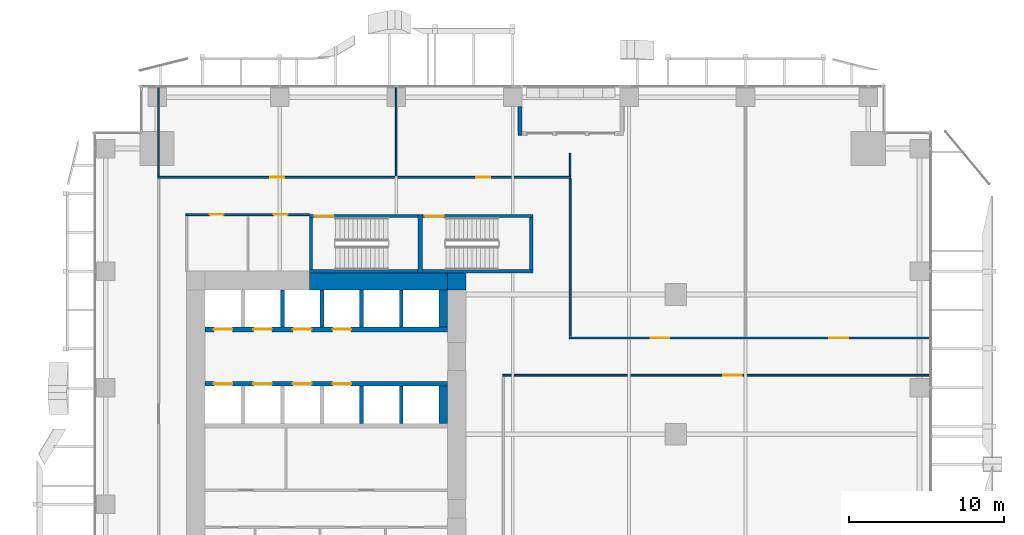
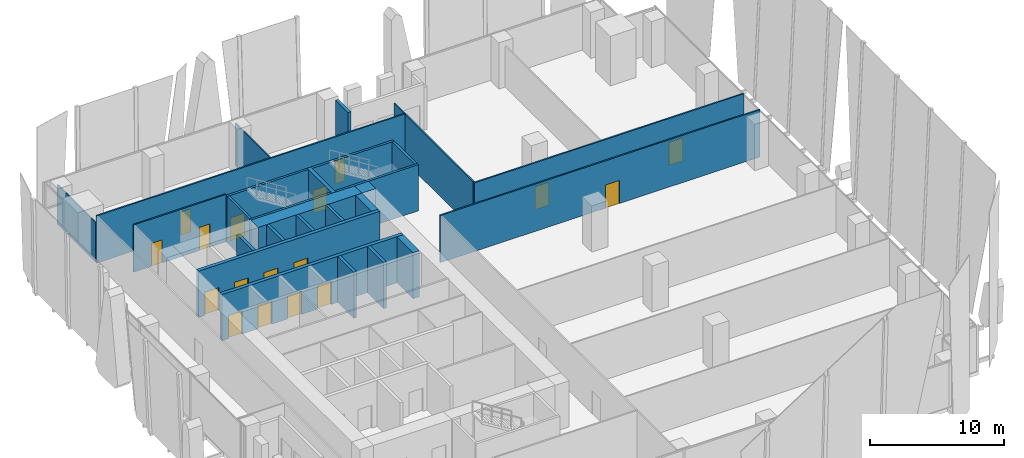
# One storey, part 29 of 35: 28 walls, 17 doors, 17 openings.
"""IFC4 building model written with IfcOpenShell, lengths in metres."""

from ifc_helpers import new_model, si_unit, direction, frame, frame_2d, origin, place, context, subcontext, project, spatial, rectangle, extrude, source, transform, mapped, material, layer, layer_set, type_object, element, fill, save


model = new_model("IFC4")

# Units and contexts
model_context = context("Model", 3, precision=1e-05, world=origin(), true_north=direction((0.0, 1.0)))
body_context = subcontext(model_context, "Body", "Model", "MODEL_VIEW")
ifc_project = project(units=[si_unit("LENGTHUNIT", "METRE"), si_unit("AREAUNIT", "SQUARE_METRE"), si_unit("VOLUMEUNIT", "CUBIC_METRE"), si_unit("PLANEANGLEUNIT", "RADIAN"), si_unit("MASSUNIT", "GRAM", prefix="KILO")], contexts=[model_context])

# Site, building, storey
site_placement = place(None, origin())
site = spatial("IfcSite", under=ifc_project, at=site_placement, CompositionType="ELEMENT")
building_placement = place(site_placement, origin())
building = spatial("IfcBuilding", under=site, at=building_placement, Name="Khomas Fold Tower", CompositionType="ELEMENT")
storey_placement = place(building_placement, frame((0.0, 0.0, 87.0)))
storey = spatial("IfcBuildingStorey", under=building, at=storey_placement, Name="L18", CompositionType="ELEMENT", Elevation=87.0)

# Walls
ifc_material_1 = material(Name="Concrete C70/85", Category="concrete")
ifc_layer_1 = layer(ifc_material_1, 1.10009765625)
ifc_layer_set_1 = layer_set([ifc_layer_1], Name="Concrete C70/85")
wall_type_1 = type_object("IfcWallType", Name="Core wall 1100", PredefinedType="SHEAR", material=ifc_layer_set_1)
shared_shape_1 = source(origin(), body_context, "Body", "SweptSolid", [
    extrude(rectangle(XDim=8.900146484375, YDim=1.10009765625, at=frame_2d((4.4501953125, 0.0))), origin(), (0.0, 0.0, 1.0), 4.199951171875),
])
wall_1_placement = place(storey_placement, frame((13.89990234375, 41.35009765625, 0.0), z_axis=(0.0, 0.0, 1.0), x_axis=(1.0, 0.0, 0.0)))
element("IfcWall", 1, at=wall_1_placement, inside=storey, type_object=wall_type_1, Name="Core wall CW-L-N-B2-1", PredefinedType="SHEAR", context=body_context, shape_type="MappedRepresentation", body=[
    mapped(shared_shape_1, transform((0.0, 0.0, 0.0))),
])
ifc_material_2 = material(Name="Concrete C70/85", Category="concrete")
ifc_layer_2 = layer(ifc_material_2, 1.10009765625)
ifc_layer_set_2 = layer_set([ifc_layer_2], Name="Concrete C70/85")
wall_type_2 = type_object("IfcWallType", Name="Core corner wall 1100", PredefinedType="SHEAR", material=ifc_layer_set_2)
shared_shape_2 = source(origin(), body_context, "Body", "SweptSolid", [
    extrude(rectangle(XDim=1.199951171875, YDim=1.10009765625, at=frame_2d((0.60009765625, 0.0))), origin(), (0.0, 0.0, 1.0), 4.199951171875),
])
wall_2_placement = place(storey_placement, frame((22.800048828125, 41.35009765625, 0.0), z_axis=(0.0, 0.0, 1.0), x_axis=(1.0, 0.0, 0.0)))
element("IfcWall", 2, at=wall_2_placement, inside=storey, type_object=wall_type_2, Name="Core wall CW-L-NE-B2", PredefinedType="SHEAR", context=body_context, shape_type="MappedRepresentation", body=[
    mapped(shared_shape_2, transform((0.0, 0.0, 0.0))),
])

# Wall, opening, door
ifc_material_3 = material(Name="Concrete C50/60", Category="concrete")
ifc_layer_3 = layer(ifc_material_3, 0.199951171875)
ifc_layer_set_3 = layer_set([ifc_layer_3], Name="Concrete C50/60")
wall_type_3 = type_object("IfcWallType", Name="Stair wall 200", PredefinedType="SHEAR", material=ifc_layer_set_3)
shared_shape_3 = source(origin(), body_context, "Body", "SweptSolid", [
    extrude(rectangle(XDim=7.0, YDim=0.199951171875, at=frame_2d((3.5, 0.0))), origin(), (0.0, 0.0, 1.0), 4.199951171875),
])
wall_3_placement = place(storey_placement, frame((13.89990234375, 45.550048828125, 0.0), z_axis=(0.0, 0.0, 1.0), x_axis=(1.0, 0.0, 0.0)))
wall_3 = element("IfcWall", 3, at=wall_3_placement, inside=storey, type_object=wall_type_3, Name="Stair wall SW-ST1-N", PredefinedType="SHEAR", context=body_context, shape_type="MappedRepresentation", body=[
    mapped(shared_shape_3, transform((0.0, 0.0, 0.0))),
])
shared_shape_4 = source(origin(), body_context, "Body", "SweptSolid", [
    extrude(rectangle(XDim=1.199951171875, YDim=2.10009765625, at=frame_2d((0.60009765625, 1.050048828125))), frame((0.0, 0.10986328125, 0.0), z_axis=(0.0, -1.0, 0.0), x_axis=(1.0, 0.0, 0.0)), (0.0, 0.0, 1.0), 0.219970703125),
])
opening_1_placement = place(wall_3_placement, frame((0.35009765625, 0.0, 0.0)))
opening_1 = element("IfcOpeningElement", 4, at=opening_1_placement, cuts=wall_3, Name="Opening SD-ST1", PredefinedType="OPENING", context=body_context, shape_type="MappedRepresentation", body=[
    mapped(shared_shape_4, transform((0.0, 0.0, 0.0))),
])
ifc_material_4 = material(Name="Steel door leaf", Category="steel")
door_type_1 = type_object("IfcDoorType", Name="Stair door 1200x2100 left-hand", OperationType="SINGLE_SWING_LEFT", PredefinedType="DOOR", material=ifc_material_4)
shared_shape_5 = source(origin(), body_context, "Body", "SweptSolid", [
    extrude(rectangle(XDim=1.199951171875, YDim=2.10009765625, at=frame_2d((0.60009765625, 1.050048828125))), frame((0.0, 0.02490234375, 0.0), z_axis=(0.0, -1.0, 0.0), x_axis=(1.0, 0.0, 0.0)), (0.0, 0.0, 1.0), 0.050048828125),
])
door_1_placement = place(opening_1_placement, origin())
door_1 = element("IfcDoor", 5, at=door_1_placement, inside=storey, type_object=door_type_1, Name="Stair door", OperationType="SINGLE_SWING_LEFT", OverallHeight=2.10009765625, OverallWidth=1.199951171875, PredefinedType="DOOR", context=body_context, shape_type="MappedRepresentation", body=[
    mapped(shared_shape_5, transform((0.0, 0.0, 0.0))),
])
fill(opening_1, door_1)

# Wall
wall_4_placement = place(storey_placement, frame((13.89990234375, 42.0, 0.0), z_axis=(0.0, 0.0, 1.0), x_axis=(1.0, 0.0, 0.0)))
element("IfcWall", 6, at=wall_4_placement, inside=storey, type_object=wall_type_3, Name="Stair wall SW-ST1-S", PredefinedType="SHEAR", context=body_context, shape_type="MappedRepresentation", body=[
    mapped(shared_shape_3, transform((0.0, 0.0, 0.0))),
])

# Wall, opening, door
shared_shape_6 = source(origin(), body_context, "Body", "SweptSolid", [
    extrude(rectangle(XDim=7.10009765625, YDim=0.199951171875, at=frame_2d((3.550048828125, 0.0))), origin(), (0.0, 0.0, 1.0), 4.199951171875),
])
wall_5_placement = place(storey_placement, frame((21.199951171875, 45.550048828125, 0.0), z_axis=(0.0, 0.0, 1.0), x_axis=(1.0, 0.0, 0.0)))
wall_5 = element("IfcWall", 7, at=wall_5_placement, inside=storey, type_object=wall_type_3, Name="Stair wall SW-ST3-N", PredefinedType="SHEAR", context=body_context, shape_type="MappedRepresentation", body=[
    mapped(shared_shape_6, transform((0.0, 0.0, 0.0))),
])
opening_2_placement = place(wall_5_placement, frame((0.14990234375, 0.0, 0.0)))
opening_2 = element("IfcOpeningElement", 8, at=opening_2_placement, cuts=wall_5, Name="Opening SD-ST3", PredefinedType="OPENING", context=body_context, shape_type="MappedRepresentation", body=[
    mapped(shared_shape_4, transform((0.0, 0.0, 0.0))),
])
door_2_placement = place(opening_2_placement, origin())
door_2 = element("IfcDoor", 9, at=door_2_placement, inside=storey, type_object=door_type_1, Name="Stair door", OperationType="SINGLE_SWING_LEFT", OverallHeight=2.10009765625, OverallWidth=1.199951171875, PredefinedType="DOOR", context=body_context, shape_type="MappedRepresentation", body=[
    mapped(shared_shape_5, transform((0.0, 0.0, 0.0))),
])
fill(opening_2, door_2)

# Walls
wall_6_placement = place(storey_placement, frame((21.199951171875, 42.0, 0.0), z_axis=(0.0, 0.0, 1.0), x_axis=(1.0, 0.0, 0.0)))
element("IfcWall", 10, at=wall_6_placement, inside=storey, type_object=wall_type_3, Name="Stair wall SW-ST3-S", PredefinedType="SHEAR", context=body_context, shape_type="MappedRepresentation", body=[
    mapped(shared_shape_6, transform((0.0, 0.0, 0.0))),
])
ifc_material_5 = material(Name="Concrete C50/60", Category="concrete")
ifc_layer_4 = layer(ifc_material_5, 0.300048828125)
ifc_layer_set_4 = layer_set([ifc_layer_4], Name="Concrete C50/60")
wall_type_4 = type_object("IfcWallType", Name="Stair wall 300", PredefinedType="SHEAR", material=ifc_layer_set_4)
shared_shape_7 = source(origin(), body_context, "Body", "SweptSolid", [
    extrude(rectangle(XDim=3.75, YDim=0.300048828125, at=frame_2d((1.875, 0.0))), origin(), (0.0, 0.0, 1.0), 4.199951171875),
])
wall_7_placement = place(storey_placement, frame((21.050048828125, 41.89990234375, 0.0), z_axis=(0.0, 0.0, 1.0), x_axis=(0.0, 1.0, 0.0)))
element("IfcWall", 11, at=wall_7_placement, inside=storey, type_object=wall_type_4, Name="Stair wall SW-ST1-E", PredefinedType="SHEAR", context=body_context, shape_type="MappedRepresentation", body=[
    mapped(shared_shape_7, transform((0.0, 0.0, 0.0))),
])
shared_shape_8 = source(origin(), body_context, "Body", "SweptSolid", [
    extrude(rectangle(XDim=3.349853515625, YDim=0.199951171875, at=frame_2d((1.6748046875, 0.0))), origin(), (0.0, 0.0, 1.0), 4.199951171875),
])
for number, where, z_axis, x_axis, name in (
    (12, (14.0, 42.10009765625, 0.0), (0.0, 0.0, 1.0), (0.0, 1.0, 0.0), "Stair wall SW-ST1-W"),
    (13, (28.199951171875, 42.10009765625, 0.0), (0.0, 0.0, 1.0), (0.0, 1.0, 0.0), "Stair wall SW-ST3-E"),
):
    element("IfcWall", number, at=place(storey_placement, frame(where, z_axis=z_axis, x_axis=x_axis)), inside=storey, type_object=wall_type_3, Name=name, PredefinedType="SHEAR", context=body_context, shape_type="MappedRepresentation", body=[
        mapped(shared_shape_8, transform((0.0, 0.0, 0.0))),
    ])

# Wall, openings, doors
ifc_material_6 = material(Name="Concrete C50/60", Category="concrete")
ifc_layer_5 = layer(ifc_material_6, 0.300048828125)
ifc_layer_set_5 = layer_set([ifc_layer_5], Name="Concrete C50/60")
wall_type_5 = type_object("IfcWallType", Name="Shaft wall 300", PredefinedType="STANDARD", material=ifc_layer_set_5)
shared_shape_9 = source(origin(), body_context, "Body", "SweptSolid", [
    extrude(rectangle(XDim=15.60009765625, YDim=0.300048828125, at=frame_2d((7.800048828125, 0.0))), origin(), (0.0, 0.0, 1.0), 4.199951171875),
])
wall_8_placement = place(storey_placement, frame((7.199951171875, 38.25, 0.0), z_axis=(0.0, 0.0, 1.0), x_axis=(1.0, 0.0, 0.0)))
wall_8 = element("IfcWall", 14, at=wall_8_placement, inside=storey, type_object=wall_type_5, Name="Core wall SW-LRN-F", PredefinedType="STANDARD", context=body_context, shape_type="MappedRepresentation", body=[
    mapped(shared_shape_9, transform((0.0, 0.0, 0.0))),
])
shared_shape_10 = source(origin(), body_context, "Body", "SweptSolid", [
    extrude(rectangle(XDim=1.199951171875, YDim=2.10009765625, at=frame_2d((0.60009765625, 1.050048828125))), frame((0.0, 0.159912109375, 0.0), z_axis=(0.0, -1.0, 0.0), x_axis=(1.0, 0.0, 0.0)), (0.0, 0.0, 1.0), 0.320068359375),
])
opening_3_placement = place(wall_8_placement, frame((0.550048828125, 0.0, 0.0)))
opening_3 = element("IfcOpeningElement", 15, at=opening_3_placement, cuts=wall_8, Name="Opening LD-LR5", PredefinedType="OPENING", context=body_context, shape_type="MappedRepresentation", body=[
    mapped(shared_shape_10, transform((0.0, 0.0, 0.0))),
])
opening_4_placement = place(wall_8_placement, frame((3.10009765625, 0.0, 0.0)))
opening_4 = element("IfcOpeningElement", 16, at=opening_4_placement, cuts=wall_8, Name="Opening LD-LR6", PredefinedType="OPENING", context=body_context, shape_type="MappedRepresentation", body=[
    mapped(shared_shape_10, transform((0.0, 0.0, 0.0))),
])
opening_5_placement = place(wall_8_placement, frame((5.64990234375, 0.0, 0.0)))
opening_5 = element("IfcOpeningElement", 17, at=opening_5_placement, cuts=wall_8, Name="Opening LD-LR7", PredefinedType="OPENING", context=body_context, shape_type="MappedRepresentation", body=[
    mapped(shared_shape_10, transform((0.0, 0.0, 0.0))),
])
opening_6_placement = place(wall_8_placement, frame((8.199951171875, 0.0, 0.0)))
opening_6 = element("IfcOpeningElement", 18, at=opening_6_placement, cuts=wall_8, Name="Opening LD-LR8", PredefinedType="OPENING", context=body_context, shape_type="MappedRepresentation", body=[
    mapped(shared_shape_10, transform((0.0, 0.0, 0.0))),
])
ifc_material_7 = material(Name="Steel door leaf", Category="steel")
door_type_2 = type_object("IfcDoorType", Name="Landing door 1200x2100", OperationType="DOUBLE_DOOR_SLIDING", PredefinedType="DOOR", material=ifc_material_7)
door_3_placement = place(opening_3_placement, origin())
door_3 = element("IfcDoor", 19, at=door_3_placement, inside=storey, type_object=door_type_2, Name="Lift landing door", OperationType="DOUBLE_DOOR_SLIDING", OverallHeight=2.10009765625, OverallWidth=1.199951171875, PredefinedType="DOOR", context=body_context, shape_type="MappedRepresentation", body=[
    mapped(shared_shape_5, transform((0.0, 0.0, 0.0))),
])
fill(opening_3, door_3)
door_4_placement = place(opening_4_placement, origin())
door_4 = element("IfcDoor", 20, at=door_4_placement, inside=storey, type_object=door_type_2, Name="Lift landing door", OperationType="DOUBLE_DOOR_SLIDING", OverallHeight=2.10009765625, OverallWidth=1.199951171875, PredefinedType="DOOR", context=body_context, shape_type="MappedRepresentation", body=[
    mapped(shared_shape_5, transform((0.0, 0.0, 0.0))),
])
fill(opening_4, door_4)
door_5_placement = place(opening_5_placement, origin())
door_5 = element("IfcDoor", 21, at=door_5_placement, inside=storey, type_object=door_type_2, Name="Lift landing door", OperationType="DOUBLE_DOOR_SLIDING", OverallHeight=2.10009765625, OverallWidth=1.199951171875, PredefinedType="DOOR", context=body_context, shape_type="MappedRepresentation", body=[
    mapped(shared_shape_5, transform((0.0, 0.0, 0.0))),
])
fill(opening_5, door_5)
door_6_placement = place(opening_6_placement, origin())
door_6 = element("IfcDoor", 22, at=door_6_placement, inside=storey, type_object=door_type_2, Name="Lift landing door", OperationType="DOUBLE_DOOR_SLIDING", OverallHeight=2.10009765625, OverallWidth=1.199951171875, PredefinedType="DOOR", context=body_context, shape_type="MappedRepresentation", body=[
    mapped(shared_shape_5, transform((0.0, 0.0, 0.0))),
])
fill(opening_6, door_6)

wall_9_placement = place(storey_placement, frame((7.199951171875, 34.75, 0.0), z_axis=(0.0, 0.0, 1.0), x_axis=(1.0, 0.0, 0.0)))
wall_9 = element("IfcWall", 23, at=wall_9_placement, inside=storey, type_object=wall_type_5, Name="Core wall SW-LRS-F", PredefinedType="STANDARD", context=body_context, shape_type="MappedRepresentation", body=[
    mapped(shared_shape_9, transform((0.0, 0.0, 0.0))),
])
opening_7_placement = place(wall_9_placement, frame((0.550048828125, 0.0, 0.0)))
opening_7 = element("IfcOpeningElement", 24, at=opening_7_placement, cuts=wall_9, Name="Opening LD-LR1", PredefinedType="OPENING", context=body_context, shape_type="MappedRepresentation", body=[
    mapped(shared_shape_10, transform((0.0, 0.0, 0.0))),
])
opening_8_placement = place(wall_9_placement, frame((3.10009765625, 0.0, 0.0)))
opening_8 = element("IfcOpeningElement", 25, at=opening_8_placement, cuts=wall_9, Name="Opening LD-LR2", PredefinedType="OPENING", context=body_context, shape_type="MappedRepresentation", body=[
    mapped(shared_shape_10, transform((0.0, 0.0, 0.0))),
])
opening_9_placement = place(wall_9_placement, frame((5.64990234375, 0.0, 0.0)))
opening_9 = element("IfcOpeningElement", 26, at=opening_9_placement, cuts=wall_9, Name="Opening LD-LR3", PredefinedType="OPENING", context=body_context, shape_type="MappedRepresentation", body=[
    mapped(shared_shape_10, transform((0.0, 0.0, 0.0))),
])
opening_10_placement = place(wall_9_placement, frame((8.199951171875, 0.0, 0.0)))
opening_10 = element("IfcOpeningElement", 27, at=opening_10_placement, cuts=wall_9, Name="Opening LD-LR4", PredefinedType="OPENING", context=body_context, shape_type="MappedRepresentation", body=[
    mapped(shared_shape_10, transform((0.0, 0.0, 0.0))),
])
door_7_placement = place(opening_7_placement, origin())
door_7 = element("IfcDoor", 28, at=door_7_placement, inside=storey, type_object=door_type_2, Name="Lift landing door", OperationType="DOUBLE_DOOR_SLIDING", OverallHeight=2.10009765625, OverallWidth=1.199951171875, PredefinedType="DOOR", context=body_context, shape_type="MappedRepresentation", body=[
    mapped(shared_shape_5, transform((0.0, 0.0, 0.0))),
])
fill(opening_7, door_7)
door_8_placement = place(opening_8_placement, origin())
door_8 = element("IfcDoor", 29, at=door_8_placement, inside=storey, type_object=door_type_2, Name="Lift landing door", OperationType="DOUBLE_DOOR_SLIDING", OverallHeight=2.10009765625, OverallWidth=1.199951171875, PredefinedType="DOOR", context=body_context, shape_type="MappedRepresentation", body=[
    mapped(shared_shape_5, transform((0.0, 0.0, 0.0))),
])
fill(opening_8, door_8)
door_9_placement = place(opening_9_placement, origin())
door_9 = element("IfcDoor", 30, at=door_9_placement, inside=storey, type_object=door_type_2, Name="Lift landing door", OperationType="DOUBLE_DOOR_SLIDING", OverallHeight=2.10009765625, OverallWidth=1.199951171875, PredefinedType="DOOR", context=body_context, shape_type="MappedRepresentation", body=[
    mapped(shared_shape_5, transform((0.0, 0.0, 0.0))),
])
fill(opening_9, door_9)
door_10_placement = place(opening_10_placement, origin())
door_10 = element("IfcDoor", 31, at=door_10_placement, inside=storey, type_object=door_type_2, Name="Lift landing door", OperationType="DOUBLE_DOOR_SLIDING", OverallHeight=2.10009765625, OverallWidth=1.199951171875, PredefinedType="DOOR", context=body_context, shape_type="MappedRepresentation", body=[
    mapped(shared_shape_5, transform((0.0, 0.0, 0.0))),
])
fill(opening_10, door_10)

# Walls
ifc_material_8 = material(Name="Concrete C50/60", Category="concrete")
ifc_layer_6 = layer(ifc_material_8, 0.25)
ifc_layer_set_6 = layer_set([ifc_layer_6], Name="Concrete C50/60")
wall_type_6 = type_object("IfcWallType", Name="Shaft wall 250", PredefinedType="STANDARD", material=ifc_layer_set_6)
shared_shape_11 = source(origin(), body_context, "Body", "SweptSolid", [
    extrude(rectangle(XDim=2.400146484375, YDim=0.25, at=frame_2d((1.2001953125, 0.0))), origin(), (0.0, 0.0, 1.0), 4.199951171875),
])
for number, where, z_axis, x_axis, name in (
    (32, (12.175048828125, 38.39990234375, 0.0), (0.0, 0.0, 1.0), (0.0, 1.0, 0.0), "Core wall SW-LRN-P2"),
    (33, (14.72509765625, 38.39990234375, 0.0), (0.0, 0.0, 1.0), (0.0, 1.0, 0.0), "Core wall SW-LRN-P3"),
    (34, (17.27490234375, 38.39990234375, 0.0), (0.0, 0.0, 1.0), (0.0, 1.0, 0.0), "Core wall SW-LRN-P4"),
    (35, (19.824951171875, 38.39990234375, 0.0), (0.0, 0.0, 1.0), (0.0, 1.0, 0.0), "Core wall SW-LRN-P5"),
    (36, (17.27490234375, 32.199951171875, 0.0), (0.0, 0.0, 1.0), (0.0, 1.0, 0.0), "Core wall SW-LRS-P4"),
    (37, (19.824951171875, 32.199951171875, 0.0), (0.0, 0.0, 1.0), (0.0, 1.0, 0.0), "Core wall SW-LRS-P5"),
):
    element("IfcWall", number, at=place(storey_placement, frame(where, z_axis=z_axis, x_axis=x_axis)), inside=storey, type_object=wall_type_6, Name=name, PredefinedType="STANDARD", context=body_context, shape_type="MappedRepresentation", body=[
        mapped(shared_shape_11, transform((0.0, 0.0, 0.0))),
    ])
ifc_material_9 = material(Name="Concrete C50/60", Category="concrete")
ifc_layer_7 = layer(ifc_material_9, 0.550048828125)
ifc_layer_set_7 = layer_set([ifc_layer_7], Name="Concrete C50/60")
wall_type_7 = type_object("IfcWallType", Name="Shaft wall 550", PredefinedType="STANDARD", material=ifc_layer_set_7)
shared_shape_12 = source(origin(), body_context, "Body", "SweptSolid", [
    extrude(rectangle(XDim=2.400146484375, YDim=0.550048828125, at=frame_2d((1.2001953125, 0.0))), origin(), (0.0, 0.0, 1.0), 4.199951171875),
])
for number, where, z_axis, x_axis, name in (
    (38, (22.52490234375, 38.39990234375, 0.0), (0.0, 0.0, 1.0), (0.0, 1.0, 0.0), "Core wall SW-LRN-PE"),
    (39, (22.52490234375, 32.199951171875, 0.0), (0.0, 0.0, 1.0), (0.0, 1.0, 0.0), "Core wall SW-LRS-PE"),
):
    element("IfcWall", number, at=place(storey_placement, frame(where, z_axis=z_axis, x_axis=x_axis)), inside=storey, type_object=wall_type_7, Name=name, PredefinedType="STANDARD", context=body_context, shape_type="MappedRepresentation", body=[
        mapped(shared_shape_12, transform((0.0, 0.0, 0.0))),
    ])
ifc_material_10 = material(Name="Natural stone", Category="masonry")
ifc_layer_8 = layer(ifc_material_10, 0.0400390625)
ifc_material_11 = material(Name="Mineral wool insulation", Category="insulation")
ifc_layer_9 = layer(ifc_material_11, 0.10009765625)
ifc_material_12 = material(Name="Masonry", Category="masonry")
ifc_layer_10 = layer(ifc_material_12, 0.110107421875)
ifc_layer_set_8 = layer_set([ifc_layer_8, ifc_layer_9, ifc_layer_10], Name="Stone-faced insulated masonry")
wall_type_8 = type_object("IfcWallType", Name="BL-Balcony wall", PredefinedType="SOLIDWALL", material=ifc_layer_set_8)
shared_shape_13 = source(origin(), body_context, "Body", "SweptSolid", [
    extrude(rectangle(XDim=1.85009765625, YDim=0.25, at=frame_2d((0.925048828125, 0.0))), origin(), (0.0, 0.0, 1.0), 3.89990234375),
])
wall_10_placement = place(storey_placement, frame((27.47509765625, 52.60009765625, 0.0), z_axis=(0.0, 0.0, 1.0), x_axis=(0.0, -1.0, 0.0)))
element("IfcWall", 40, at=wall_10_placement, inside=storey, type_object=wall_type_8, Name="Balcony return wall BAL-L18-N3-lo", PredefinedType="SOLIDWALL", context=body_context, shape_type="MappedRepresentation", body=[
    mapped(shared_shape_13, transform((0.0, 0.0, 0.0))),
])

# Wall, opening, door
ifc_material_13 = material(Name="Plasterboard partition")
ifc_layer_11 = layer(ifc_material_13, 0.125)
ifc_layer_set_9 = layer_set([ifc_layer_11], Name="Plasterboard partition")
wall_type_9 = type_object("IfcWallType", Name="Partition PW2 125", PredefinedType="PARTITIONING", material=ifc_layer_set_9)
shared_shape_14 = source(origin(), body_context, "Body", "SweptSolid", [
    extrude(rectangle(XDim=27.5, YDim=0.125, at=frame_2d((13.75, 0.0))), origin(), (0.0, 0.0, 1.0), 4.300048828125),
])
wall_11_placement = place(storey_placement, frame((26.35009765625, 35.300048828125, 0.0), z_axis=(0.0, 0.0, 1.0), x_axis=(1.0, 0.0, 0.0)))
wall_11 = element("IfcWall", 41, at=wall_11_placement, inside=storey, type_object=wall_type_9, Name="Partition", PredefinedType="PARTITIONING", context=body_context, shape_type="MappedRepresentation", body=[
    mapped(shared_shape_14, transform((0.0, 0.0, 0.0))),
])
shared_shape_15 = source(origin(), body_context, "Body", "SweptSolid", [
    extrude(rectangle(XDim=1.199951171875, YDim=2.10009765625, at=frame_2d((0.60009765625, 1.050048828125))), frame((0.0, 0.072509765625, 0.0), z_axis=(0.0, -1.0, 0.0), x_axis=(1.0, 0.0, 0.0)), (0.0, 0.0, 1.0), 0.14501953125),
])
opening_11_placement = place(wall_11_placement, frame((14.199951171875, 0.0, 0.0)))
opening_11 = element("IfcOpeningElement", 42, at=opening_11_placement, cuts=wall_11, Name="Opening 0001", PredefinedType="OPENING", context=body_context, shape_type="MappedRepresentation", body=[
    mapped(shared_shape_15, transform((0.0, 0.0, 0.0))),
])
ifc_material_14 = material(Name="Timber door leaf", Category="wood")
door_type_3 = type_object("IfcDoorType", Name="Door 1200x2100 right-hand", OperationType="SINGLE_SWING_RIGHT", PredefinedType="DOOR", material=ifc_material_14)
door_11_placement = place(opening_11_placement, origin())
door_11 = element("IfcDoor", 43, at=door_11_placement, inside=storey, type_object=door_type_3, Name="Door", OperationType="SINGLE_SWING_RIGHT", OverallHeight=2.10009765625, OverallWidth=1.199951171875, PredefinedType="DOOR", context=body_context, shape_type="MappedRepresentation", body=[
    mapped(shared_shape_5, transform((0.0, 0.0, 0.0))),
])
fill(opening_11, door_11)

# Wall, openings, doors
shared_shape_16 = source(origin(), body_context, "Body", "SweptSolid", [
    extrude(rectangle(XDim=23.2001953125, YDim=0.125, at=frame_2d((11.60009765625, 0.0))), origin(), (0.0, 0.0, 1.0), 4.300048828125),
])
wall_12_placement = place(storey_placement, frame((30.64990234375, 37.699951171875, 0.0), z_axis=(0.0, 0.0, 1.0), x_axis=(1.0, 0.0, 0.0)))
wall_12 = element("IfcWall", 44, at=wall_12_placement, inside=storey, type_object=wall_type_9, Name="Partition", PredefinedType="PARTITIONING", context=body_context, shape_type="MappedRepresentation", body=[
    mapped(shared_shape_16, transform((0.0, 0.0, 0.0))),
])
opening_12_placement = place(wall_12_placement, frame((5.25, 0.0, 0.0)))
opening_12 = element("IfcOpeningElement", 45, at=opening_12_placement, cuts=wall_12, Name="Opening 0013", PredefinedType="OPENING", context=body_context, shape_type="MappedRepresentation", body=[
    mapped(shared_shape_15, transform((0.0, 0.0, 0.0))),
])
opening_13_placement = place(wall_12_placement, frame((16.75, 0.0, 0.0)))
opening_13 = element("IfcOpeningElement", 46, at=opening_13_placement, cuts=wall_12, Name="Opening 0013", PredefinedType="OPENING", context=body_context, shape_type="MappedRepresentation", body=[
    mapped(shared_shape_15, transform((0.0, 0.0, 0.0))),
])
ifc_material_15 = material(Name="Timber door leaf", Category="wood")
door_type_4 = type_object("IfcDoorType", Name="Door 1200x2100 left-hand", OperationType="SINGLE_SWING_LEFT", PredefinedType="DOOR", material=ifc_material_15)
door_12_placement = place(opening_12_placement, origin())
door_12 = element("IfcDoor", 47, at=door_12_placement, inside=storey, type_object=door_type_4, Name="Door", OperationType="SINGLE_SWING_LEFT", OverallHeight=2.10009765625, OverallWidth=1.199951171875, PredefinedType="DOOR", context=body_context, shape_type="MappedRepresentation", body=[
    mapped(shared_shape_5, transform((0.0, 0.0, 0.0))),
])
fill(opening_12, door_12)
door_13_placement = place(opening_13_placement, origin())
door_13 = element("IfcDoor", 48, at=door_13_placement, inside=storey, type_object=door_type_4, Name="Door", OperationType="SINGLE_SWING_LEFT", OverallHeight=2.10009765625, OverallWidth=1.199951171875, PredefinedType="DOOR", context=body_context, shape_type="MappedRepresentation", body=[
    mapped(shared_shape_5, transform((0.0, 0.0, 0.0))),
])
fill(opening_13, door_13)

# Wall
shared_shape_17 = source(origin(), body_context, "Body", "SweptSolid", [
    extrude(rectangle(XDim=10.14990234375, YDim=0.125, at=frame_2d((5.074951171875, 0.0))), origin(), (0.0, 0.0, 1.0), 4.300048828125),
])
wall_13_placement = place(storey_placement, frame((30.699951171875, 37.800048828125, 0.0), z_axis=(0.0, 0.0, 1.0), x_axis=(0.0, 1.0, 0.0)))
element("IfcWall", 49, at=wall_13_placement, inside=storey, type_object=wall_type_9, Name="Partition", PredefinedType="PARTITIONING", context=body_context, shape_type="MappedRepresentation", body=[
    mapped(shared_shape_17, transform((0.0, 0.0, 0.0))),
])

# Wall, openings, doors
shared_shape_18 = source(origin(), body_context, "Body", "SweptSolid", [
    extrude(rectangle(XDim=7.949951171875, YDim=0.125, at=frame_2d((3.97509765625, 0.0))), origin(), (0.0, 0.0, 1.0), 4.300048828125),
])
wall_14_placement = place(storey_placement, frame((5.949951171875, 45.64990234375, 0.0), z_axis=(0.0, 0.0, 1.0), x_axis=(1.0, 0.0, 0.0)))
wall_14 = element("IfcWall", 50, at=wall_14_placement, inside=storey, type_object=wall_type_9, Name="Partition", PredefinedType="PARTITIONING", context=body_context, shape_type="MappedRepresentation", body=[
    mapped(shared_shape_18, transform((0.0, 0.0, 0.0))),
])
shared_shape_19 = source(origin(), body_context, "Body", "SweptSolid", [
    extrude(rectangle(XDim=0.89990234375, YDim=2.10009765625, at=frame_2d((0.449951171875, 1.050048828125))), frame((0.0, 0.072509765625, 0.0), z_axis=(0.0, -1.0, 0.0), x_axis=(1.0, 0.0, 0.0)), (0.0, 0.0, 1.0), 0.14501953125),
])
opening_14_placement = place(wall_14_placement, frame((1.550048828125, 0.0, 0.0)))
opening_14 = element("IfcOpeningElement", 51, at=opening_14_placement, cuts=wall_14, Name="Opening 0007", PredefinedType="OPENING", context=body_context, shape_type="MappedRepresentation", body=[
    mapped(shared_shape_19, transform((0.0, 0.0, 0.0))),
])
opening_15_placement = place(wall_14_placement, frame((5.64990234375, 0.0, 0.0)))
opening_15 = element("IfcOpeningElement", 52, at=opening_15_placement, cuts=wall_14, Name="Opening 0008", PredefinedType="OPENING", context=body_context, shape_type="MappedRepresentation", body=[
    mapped(shared_shape_19, transform((0.0, 0.0, 0.0))),
])
ifc_material_16 = material(Name="Timber door leaf", Category="wood")
door_type_5 = type_object("IfcDoorType", Name="Door 900x2100 left-hand", OperationType="SINGLE_SWING_LEFT", PredefinedType="DOOR", material=ifc_material_16)
shared_shape_20 = source(origin(), body_context, "Body", "SweptSolid", [
    extrude(rectangle(XDim=0.89990234375, YDim=2.10009765625, at=frame_2d((0.449951171875, 1.050048828125))), frame((0.0, 0.02490234375, 0.0), z_axis=(0.0, -1.0, 0.0), x_axis=(1.0, 0.0, 0.0)), (0.0, 0.0, 1.0), 0.050048828125),
])
door_14_placement = place(opening_14_placement, origin())
door_14 = element("IfcDoor", 53, at=door_14_placement, inside=storey, type_object=door_type_5, Name="Door", OperationType="SINGLE_SWING_LEFT", OverallHeight=2.10009765625, OverallWidth=0.89990234375, PredefinedType="DOOR", context=body_context, shape_type="MappedRepresentation", body=[
    mapped(shared_shape_20, transform((0.0, 0.0, 0.0))),
])
fill(opening_14, door_14)
ifc_material_17 = material(Name="Timber door leaf", Category="wood")
door_type_6 = type_object("IfcDoorType", Name="Door 900x2100 right-hand", OperationType="SINGLE_SWING_RIGHT", PredefinedType="DOOR", material=ifc_material_17)
door_15_placement = place(opening_15_placement, origin())
door_15 = element("IfcDoor", 54, at=door_15_placement, inside=storey, type_object=door_type_6, Name="Door", OperationType="SINGLE_SWING_RIGHT", OverallHeight=2.10009765625, OverallWidth=0.89990234375, PredefinedType="DOOR", context=body_context, shape_type="MappedRepresentation", body=[
    mapped(shared_shape_20, transform((0.0, 0.0, 0.0))),
])
fill(opening_15, door_15)

# Wall
ifc_material_18 = material(Name="Plasterboard partition")
ifc_layer_12 = layer(ifc_material_18, 0.10009765625)
ifc_layer_set_10 = layer_set([ifc_layer_12], Name="Plasterboard partition")
wall_type_10 = type_object("IfcWallType", Name="Partition PW1 100", PredefinedType="PARTITIONING", material=ifc_layer_set_10)
shared_shape_21 = source(origin(), body_context, "Body", "SweptSolid", [
    extrude(rectangle(XDim=5.7001953125, YDim=0.10009765625, at=frame_2d((2.85009765625, 0.0))), origin(), (0.0, 0.0, 1.0), 3.840087890625),
])
wall_15_placement = place(storey_placement, frame((19.5, 48.14990234375, 0.0), z_axis=(0.0, 0.0, 1.0), x_axis=(0.0, 1.0, 0.0)))
element("IfcWall", 55, at=wall_15_placement, inside=storey, type_object=wall_type_10, Name="Partition", PredefinedType="PARTITIONING", context=body_context, shape_type="MappedRepresentation", body=[
    mapped(shared_shape_21, transform((0.0, 0.0, 0.0))),
])

# Wall, openings, doors
shared_shape_22 = source(origin(), body_context, "Body", "SweptSolid", [
    extrude(rectangle(XDim=26.60009765625, YDim=0.125, at=frame_2d((13.300048828125, 0.0))), origin(), (0.0, 0.0, 1.0), 4.300048828125),
])
wall_16_placement = place(storey_placement, frame((4.14990234375, 48.050048828125, 0.0), z_axis=(0.0, 0.0, 1.0), x_axis=(1.0, 0.0, 0.0)))
wall_16 = element("IfcWall", 56, at=wall_16_placement, inside=storey, type_object=wall_type_9, Name="Partition", PredefinedType="PARTITIONING", context=body_context, shape_type="MappedRepresentation", body=[
    mapped(shared_shape_22, transform((0.0, 0.0, 0.0))),
])
opening_16_placement = place(wall_16_placement, frame((7.25, 0.0, 0.0)))
opening_16 = element("IfcOpeningElement", 57, at=opening_16_placement, cuts=wall_16, Name="Opening 0008", PredefinedType="OPENING", context=body_context, shape_type="MappedRepresentation", body=[
    mapped(shared_shape_19, transform((0.0, 0.0, 0.0))),
])
opening_17_placement = place(wall_16_placement, frame((20.5, 0.0, 0.0)))
opening_17 = element("IfcOpeningElement", 58, at=opening_17_placement, cuts=wall_16, Name="Opening 0007", PredefinedType="OPENING", context=body_context, shape_type="MappedRepresentation", body=[
    mapped(shared_shape_19, transform((0.0, 0.0, 0.0))),
])
door_16_placement = place(opening_16_placement, origin())
door_16 = element("IfcDoor", 59, at=door_16_placement, inside=storey, type_object=door_type_6, Name="Door", OperationType="SINGLE_SWING_RIGHT", OverallHeight=2.10009765625, OverallWidth=0.89990234375, PredefinedType="DOOR", context=body_context, shape_type="MappedRepresentation", body=[
    mapped(shared_shape_20, transform((0.0, 0.0, 0.0))),
])
fill(opening_16, door_16)
door_17_placement = place(opening_17_placement, origin())
door_17 = element("IfcDoor", 60, at=door_17_placement, inside=storey, type_object=door_type_5, Name="Door", OperationType="SINGLE_SWING_LEFT", OverallHeight=2.10009765625, OverallWidth=0.89990234375, PredefinedType="DOOR", context=body_context, shape_type="MappedRepresentation", body=[
    mapped(shared_shape_20, transform((0.0, 0.0, 0.0))),
])
fill(opening_17, door_17)

# Walls
shared_shape_23 = source(origin(), body_context, "Body", "SweptSolid", [
    extrude(rectangle(XDim=5.7001953125, YDim=0.10009765625, at=frame_2d((2.85009765625, 0.0))), origin(), (0.0, 0.0, 1.0), 3.60009765625),
])
wall_17_placement = place(storey_placement, frame((4.199951171875, 48.14990234375, 0.0), z_axis=(0.0, 0.0, 1.0), x_axis=(0.0, 1.0, 0.0)))
element("IfcWall", 61, at=wall_17_placement, inside=storey, type_object=wall_type_10, Name="Partition", PredefinedType="PARTITIONING", context=body_context, shape_type="MappedRepresentation", body=[
    mapped(shared_shape_23, transform((0.0, 0.0, 0.0))),
])
shared_shape_24 = source(origin(), body_context, "Body", "SweptSolid", [
    extrude(rectangle(XDim=1.4501953125, YDim=0.10009765625, at=frame_2d((0.72509765625, 0.0))), origin(), (0.0, 0.0, 1.0), 4.300048828125),
])
wall_18_placement = place(storey_placement, frame((30.699951171875, 48.14990234375, 0.0), z_axis=(0.0, 0.0, 1.0), x_axis=(0.0, 1.0, 0.0)))
element("IfcWall", 62, at=wall_18_placement, inside=storey, type_object=wall_type_10, Name="Partition", PredefinedType="PARTITIONING", context=body_context, shape_type="MappedRepresentation", body=[
    mapped(shared_shape_24, transform((0.0, 0.0, 0.0))),
])

save(model, "model.ifc")
